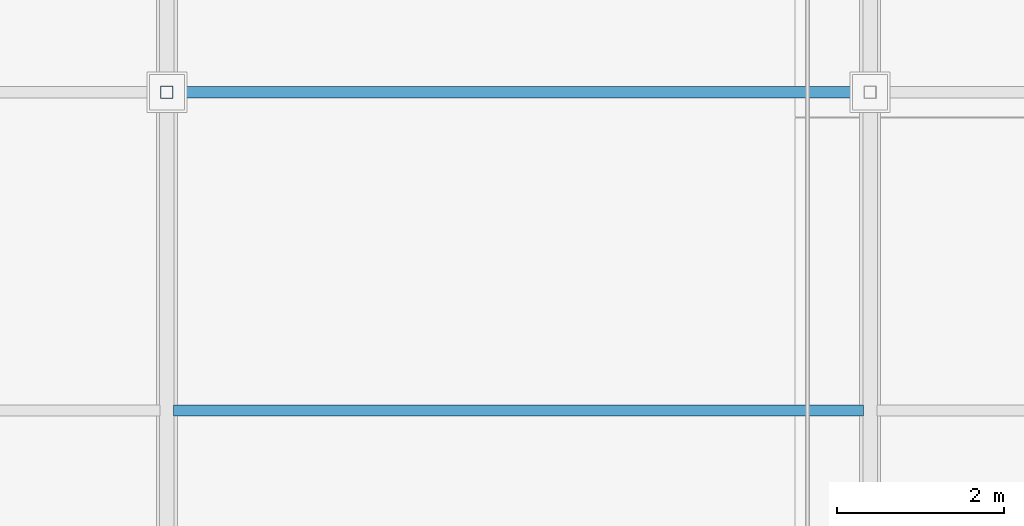
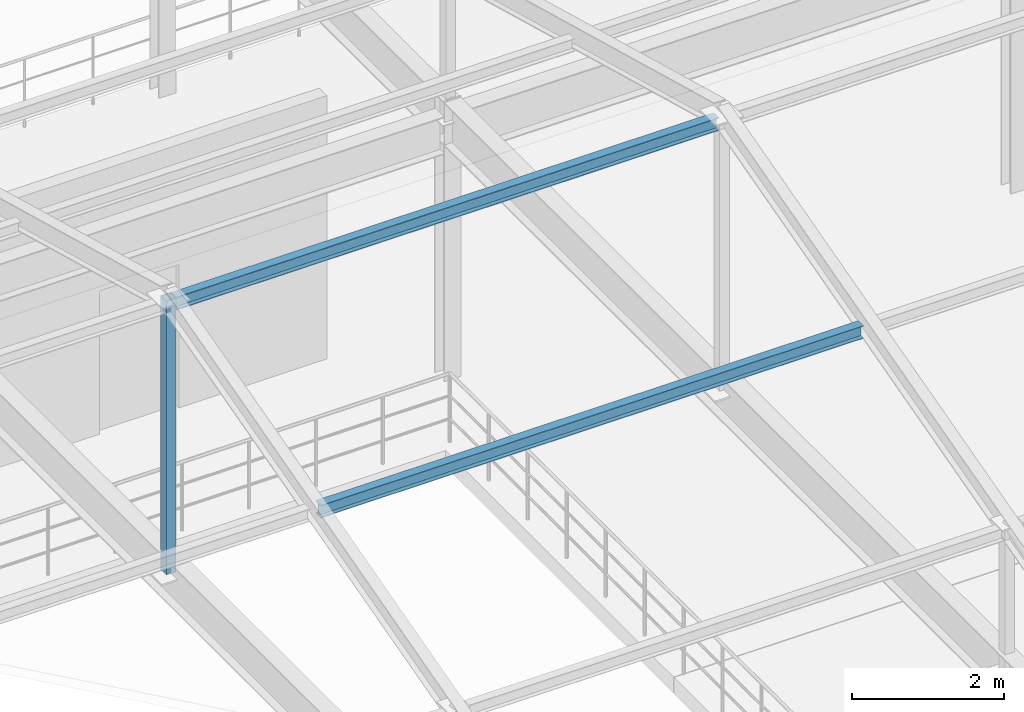
# One storey, part 29 of 112: 3 members.
"""IFC4 building model written with IfcOpenShell, lengths in metres."""

from ifc_helpers import new_model, si_unit, direction, frame, origin, origin_2d, place, context, subcontext, project, spatial, hollow_rectangle, i_section, extrude, material, material_profile, profile_set, type_object, element, save


model = new_model("IFC4")

# Units and contexts
model_context = context("Model", 3, precision=1e-05, world=origin(), true_north=direction((0.0, 1.0)))
body_context = subcontext(model_context, "Body", "Model", "MODEL_VIEW")
ifc_project = project(units=[si_unit("LENGTHUNIT", "METRE"), si_unit("AREAUNIT", "SQUARE_METRE"), si_unit("VOLUMEUNIT", "CUBIC_METRE"), si_unit("PLANEANGLEUNIT", "RADIAN"), si_unit("MASSUNIT", "GRAM", prefix="KILO")], contexts=[model_context])

# Site, building, storey
site_placement = place(None, origin())
site = spatial("IfcSite", under=ifc_project, at=site_placement, CompositionType="ELEMENT")
building_placement = place(site_placement, origin())
building = spatial("IfcBuilding", under=site, at=building_placement, Name="Cinderbank Siding Concert Hall", CompositionType="ELEMENT")
storey_placement = place(building_placement, frame((0.0, 0.0, 10.199951171875)))
storey = spatial("IfcBuildingStorey", under=building, at=storey_placement, Name="L03", CompositionType="ELEMENT", Elevation=10.199951171875)

# Members
ifc_material_1 = material(Name="Structural steel hollow section AS/NZS 1163 Grade C350L0 (350 MPa)", Category="steel")
ifc_material_profile_1 = material_profile(ifc_material_1, hollow_rectangle(XDim=0.14990234375, YDim=0.14990234375, WallThickness=0.008056640625, at=origin_2d()), Name="150x150x8.0SHS", Category="LoadBearing")
ifc_profile_set_1 = profile_set([ifc_material_profile_1], Name="Structural steel hollow section AS/NZS 1163 Grade C350L0 (350 MPa)")
member_type_1 = type_object("IfcMemberType", Name="BR-SHS150 150x150x8.0SHS Roof Truss", PredefinedType="BRACE", material=ifc_profile_set_1)
member_1_placement = place(storey_placement, frame((29.0, 20.800048828125, 4.150146484375), z_axis=(0.0, 0.0, 1.0), x_axis=(1.0, 0.0, 0.0)))
element("IfcMember", 1, at=member_1_placement, inside=storey, type_object=member_type_1, Name="L03 Diagonal Brace BR-SHS150 #V2WB-BR-SHS150-L03-2392", PredefinedType="BRACE", context=body_context, shape_type="SweptSolid", body=[
    extrude(hollow_rectangle(XDim=0.14990234375, YDim=0.14990234375, WallThickness=0.008056640625, at=origin_2d()), origin(), (0.0, 0.0, 1.0), 4.39990234375),
])
ifc_material_2 = material(Name="Structural steel AS/NZS 3679.1 Grade 350 (340 MPa)", Category="steel")
ifc_material_profile_2 = material_profile(ifc_material_2, i_section(OverallWidth=0.133056640625, OverallDepth=0.203125, WebThickness=0.005859375, FlangeThickness=0.0078125, at=origin_2d()), Name="200UB25.4", Category="LoadBearing")
ifc_profile_set_2 = profile_set([ifc_material_profile_2], Name="Structural steel AS/NZS 3679.1 Grade 350 (340 MPa)")
member_type_2 = type_object("IfcMemberType", Name="PR-UB200 200UB25.4 Roof Truss", PredefinedType="PURLIN", material=ifc_profile_set_2)
member_2_placement = place(storey_placement, frame((29.080078125, 17.0, 7.416015625), z_axis=(1.0, 0.0, 0.0), x_axis=(0.0, 1.0, 0.0)))
element("IfcMember", 2, at=member_2_placement, inside=storey, type_object=member_type_2, Name="L03 Roof Truss Member PR-UB200 #2426", PredefinedType="PURLIN", context=body_context, shape_type="SweptSolid", body=[
    extrude(i_section(OverallWidth=0.133056640625, OverallDepth=0.203125, WebThickness=0.005859375, FlangeThickness=0.0078125, at=origin_2d()), origin(), (0.0, 0.0, 1.0), 8.239990234375),
])
ifc_material_profile_3 = material_profile(ifc_material_2, i_section(OverallWidth=0.134033203125, OverallDepth=0.20703125, WebThickness=0.00634765625, FlangeThickness=0.009521484375, at=origin_2d()), Name="200UB29.8", Category="LoadBearing")
ifc_profile_set_3 = profile_set([ifc_material_profile_3], Name="Structural steel AS/NZS 3679.1 Grade 350 (340 MPa)")
member_type_3 = type_object("IfcMemberType", Name="PR-UB200H 200UB29.8 Roof Truss", PredefinedType="PURLIN", material=ifc_profile_set_3)
member_3_placement = place(storey_placement, frame((29.080078125, 20.800048828125, 8.449951171875), z_axis=(1.0, 0.0, 0.0), x_axis=(0.0, 1.0, 0.0)))
element("IfcMember", 3, at=member_3_placement, inside=storey, type_object=member_type_3, Name="L03 Roof Truss Member PR-UB200H #2427", PredefinedType="PURLIN", context=body_context, shape_type="SweptSolid", body=[
    extrude(i_section(OverallWidth=0.134033203125, OverallDepth=0.20703125, WebThickness=0.00634765625, FlangeThickness=0.009521484375, at=origin_2d()), origin(), (0.0, 0.0, 1.0), 8.239990234375),
])

save(model, "model.ifc")
